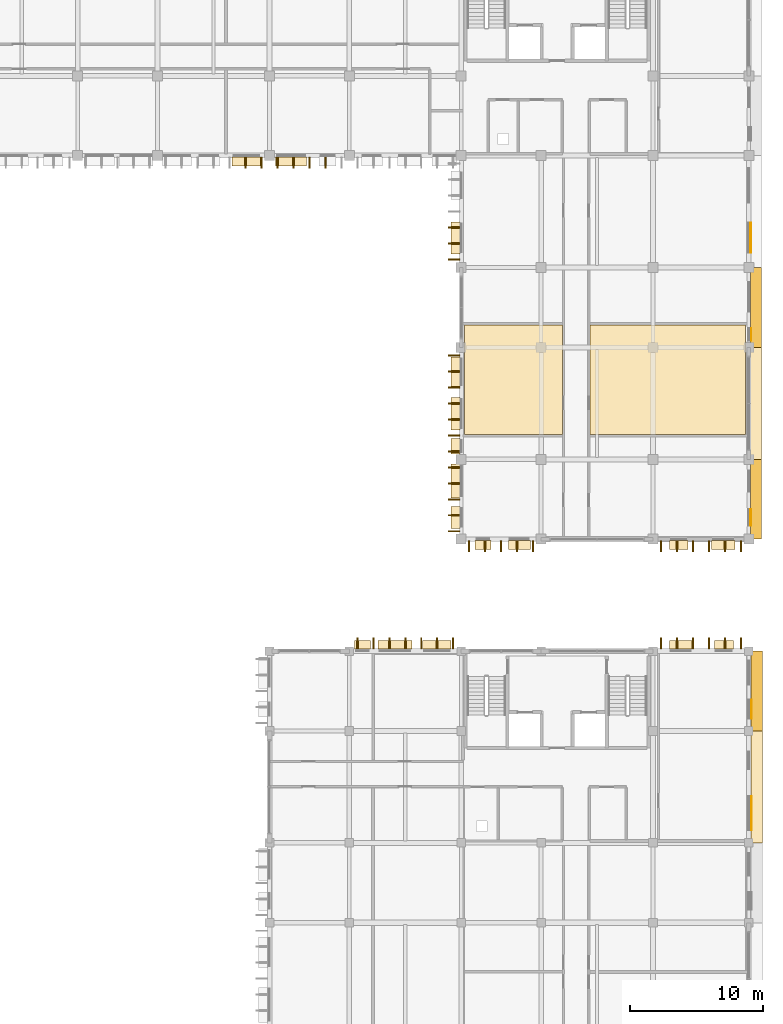
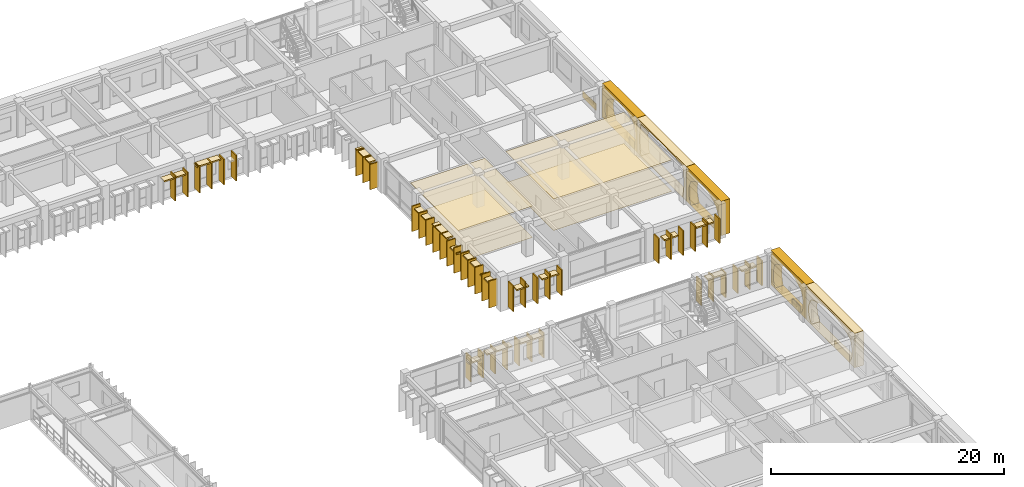
# One storey, part 86 of 88: 76 coverings.
"""IFC4 building model written with IfcOpenShell, lengths in metres."""

from ifc_helpers import new_model, si_unit, direction, frame, origin, origin_2d, place, context, subcontext, project, spatial, polyline, rectangle, outline, extrude, material, layer, layer_set, type_object, element, save


model = new_model("IFC4")

# Units and contexts
model_context = context("Model", 3, precision=1e-05, world=origin(), true_north=direction((0.0, 1.0)))
body_context = subcontext(model_context, "Body", "Model", "MODEL_VIEW")
ifc_project = project(units=[si_unit("LENGTHUNIT", "METRE"), si_unit("AREAUNIT", "SQUARE_METRE"), si_unit("VOLUMEUNIT", "CUBIC_METRE"), si_unit("PLANEANGLEUNIT", "RADIAN"), si_unit("MASSUNIT", "GRAM", prefix="KILO"), si_unit("THERMODYNAMICTEMPERATUREUNIT", "KELVIN")], contexts=[model_context])

# Site, building, storey
site_placement = place(None, origin())
site = spatial("IfcSite", under=ifc_project, at=site_placement, CompositionType="ELEMENT")
building_placement = place(site_placement, origin())
building = spatial("IfcBuilding", under=site, at=building_placement, Name="Thalorik Housing Commons", CompositionType="ELEMENT")
storey_placement = place(building_placement, frame((0.0, 0.0, 4.5)))
storey = spatial("IfcBuildingStorey", under=building, at=storey_placement, Name="L01", CompositionType="ELEMENT", Elevation=4.5)

# Coverings
ifc_material_1 = material(Name="Cobalt blue glazed ceramic facade tile panel", Category="masonry")
ifc_layer_1 = layer(ifc_material_1, 0.06005859375, Name="Cobalt blue glazed ceramic facade tile panel", Category="masonry")
ifc_layer_set_1 = layer_set([ifc_layer_1], Name="Cobalt blue glazed ceramic facade tile panel")
covering_type_1 = type_object("IfcCoveringType", Name="ARC-CLD-BLU-60", PredefinedType="CLADDING", material=ifc_layer_set_1)
covering_1_placement = place(storey_placement, frame((174.195068359375, 67.6298828125, 0.0498046875), z_axis=(0.0, 0.0, 1.0), x_axis=(0.0, 1.0, 0.0)))
element("IfcCovering", 1, at=covering_1_placement, inside=storey, type_object=covering_type_1, Name="L01 De Stijl Recessed Window Spandrel 4596", PredefinedType="CLADDING", context=body_context, shape_type="SweptSolid", body=[
    extrude(rectangle(XDim=1.419921875, YDim=0.06005859375, at=origin_2d()), origin(), (0.0, 0.0, 1.0), 0.699951171875),
])
ifc_material_2 = material(Name="Precast concrete C40/50", Category="concrete")
ifc_layer_2 = layer(ifc_material_2, 0.85009765625, Name="Precast concrete C40/50", Category="concrete")
ifc_layer_set_2 = layer_set([ifc_layer_2], Name="Precast concrete C40/50")
covering_type_2 = type_object("IfcCoveringType", Name="ARC-CLD-CUSH-850", PredefinedType="CLADDING", material=ifc_layer_set_2)
covering_2_placement = place(storey_placement, frame((174.532470703125, 83.39990234375, 0.0), z_axis=(0.0, 0.0, 1.0), x_axis=(0.0, 1.0, 0.0)))
element("IfcCovering", 2, at=covering_2_placement, inside=storey, type_object=covering_type_2, Name="L01 White Precast Curved Cushion Bay Frame 1647", PredefinedType="CLADDING", context=body_context, shape_type="SweptSolid", body=[
    extrude(outline(polyline([(-3.0, 0.0), (3.0, 0.0), (3.0, 3.60009765625), (-3.0, 3.60009765625), (-3.0, 0.0)]), holes=[polyline([(2.2099609375, 0.02490234375), (2.39892578125, 0.4375), (2.51220703125, 0.85009765625), (2.550048828125, 1.262451171875), (2.51220703125, 1.675048828125), (2.39892578125, 2.08740234375), (2.2099609375, 2.5), (1.85546875, 2.755615234375), (1.500732421875, 2.956298828125), (1.146240234375, 3.119140625), (0.791748046875, 3.239990234375), (0.43701171875, 3.314697265625), (0.08251953125, 3.340087890625), (-0.272216796875, 3.314697265625), (-0.626708984375, 3.239990234375), (-0.981201171875, 3.119140625), (-1.335693359375, 2.956298828125), (-1.6904296875, 2.755615234375), (-2.044921875, 2.5), (-2.32568359375, 2.08740234375), (-2.493896484375, 1.675048828125), (-2.550048828125, 1.262451171875), (-2.493896484375, 0.85009765625), (-2.32568359375, 0.4375), (-2.044921875, 0.02490234375), (2.2099609375, 0.02490234375)])]), frame((0.0, 0.425048828125, 0.0), z_axis=(0.0, -1.0, 0.0), x_axis=(1.0, 0.0, 0.0)), (0.0, 0.0, 1.0), 0.85009765625),
])
covering_3_placement = place(storey_placement, frame((174.532470703125, 90.60009765625, 0.0), z_axis=(0.0, 0.0, 1.0), x_axis=(0.0, 1.0, 0.0)))
element("IfcCovering", 3, at=covering_3_placement, inside=storey, type_object=covering_type_2, Name="L01 White Precast Curved Cushion Bay Frame 1649", PredefinedType="CLADDING", context=body_context, shape_type="SweptSolid", body=[
    extrude(outline(polyline([(-4.199951171875, 0.0), (4.199951171875, 0.0), (4.199951171875, 3.60009765625), (-4.199951171875, 3.60009765625), (-4.199951171875, 0.0)]), holes=[polyline([(3.550048828125, 0.02490234375), (3.687255859375, 0.57421875), (3.76953125, 1.123291015625), (3.797119140625, 1.672607421875), (3.76953125, 2.2216796875), (3.687255859375, 2.770751953125), (3.550048828125, 3.320068359375), (2.958251953125, 3.362548828125), (2.36669921875, 3.39599609375), (1.77490234375, 3.423095703125), (1.183349609375, 3.443359375), (0.591796875, 3.455810546875), (0.0, 3.4599609375), (-0.591796875, 3.455810546875), (-1.183349609375, 3.443359375), (-1.77490234375, 3.423095703125), (-2.36669921875, 3.39599609375), (-2.958251953125, 3.362548828125), (-3.550048828125, 3.320068359375), (-3.687255859375, 2.770751953125), (-3.76953125, 2.2216796875), (-3.797119140625, 1.672607421875), (-3.76953125, 1.123291015625), (-3.687255859375, 0.57421875), (-3.550048828125, 0.02490234375), (3.550048828125, 0.02490234375)])]), frame((0.0, 0.425048828125, 0.0), z_axis=(0.0, -1.0, 0.0), x_axis=(1.0, 0.0, 0.0)), (0.0, 0.0, 1.0), 0.85009765625),
])
covering_4_placement = place(storey_placement, frame((174.532470703125, 97.800048828125, 0.0), z_axis=(0.0, 0.0, 1.0), x_axis=(0.0, 1.0, 0.0)))
element("IfcCovering", 4, at=covering_4_placement, inside=storey, type_object=covering_type_2, Name="L01 White Precast Curved Cushion Bay Frame 1650", PredefinedType="CLADDING", context=body_context, shape_type="SweptSolid", body=[
    extrude(outline(polyline([(-3.0, 0.0), (3.0, 0.0), (3.0, 3.60009765625), (-3.0, 3.60009765625), (-3.0, 0.0)]), holes=[polyline([(2.0400390625, 0.02490234375), (2.3232421875, 0.4375), (2.493408203125, 0.85009765625), (2.550048828125, 1.262451171875), (2.493408203125, 1.675048828125), (2.3232421875, 2.08740234375), (2.0400390625, 2.5), (1.658203125, 2.755615234375), (1.276611328125, 2.956298828125), (0.89501953125, 3.119140625), (0.51318359375, 3.239990234375), (0.131591796875, 3.314697265625), (-0.25, 3.340087890625), (-0.631591796875, 3.314697265625), (-1.01318359375, 3.239990234375), (-1.39501953125, 3.119140625), (-1.776611328125, 2.956298828125), (-2.158203125, 2.755615234375), (-2.5400390625, 2.5), (-2.63720703125, 2.08740234375), (-2.6953125, 1.675048828125), (-2.71484375, 1.262451171875), (-2.6953125, 0.85009765625), (-2.63720703125, 0.4375), (-2.5400390625, 0.02490234375), (2.0400390625, 0.02490234375)])]), frame((0.0, 0.425048828125, 0.0), z_axis=(0.0, -1.0, 0.0), x_axis=(1.0, 0.0, 0.0)), (0.0, 0.0, 1.0), 0.85009765625),
])
covering_5_placement = place(storey_placement, frame((174.5849609375, 61.800048828125, 0.0), z_axis=(0.0, 0.0, 1.0), x_axis=(0.0, 1.0, 0.0)))
element("IfcCovering", 5, at=covering_5_placement, inside=storey, type_object=covering_type_2, Name="L01 White Precast Curved Cushion Bay Frame 4593", PredefinedType="CLADDING", context=body_context, shape_type="SweptSolid", body=[
    extrude(outline(polyline([(-4.199951171875, 0.0), (4.199951171875, 0.0), (4.199951171875, 3.60009765625), (-4.199951171875, 3.60009765625), (-4.199951171875, 0.0)]), holes=[polyline([(3.239990234375, 0.02490234375), (3.523193359375, 0.45751953125), (3.693359375, 0.889892578125), (3.75, 1.322509765625), (3.693359375, 1.7548828125), (3.523193359375, 2.1875), (3.239990234375, 2.6201171875), (2.6953125, 2.839111328125), (2.15087890625, 3.01123046875), (1.606201171875, 3.150634765625), (1.061767578125, 3.25439453125), (0.51708984375, 3.318359375), (-0.027587890625, 3.340087890625), (-0.572021484375, 3.318359375), (-1.11669921875, 3.25439453125), (-1.6611328125, 3.150634765625), (-2.205810546875, 3.01123046875), (-2.75048828125, 2.839111328125), (-3.294921875, 2.6201171875), (-3.5478515625, 2.1875), (-3.699462890625, 1.7548828125), (-3.75, 1.322509765625), (-3.699462890625, 0.889892578125), (-3.5478515625, 0.45751953125), (-3.294921875, 0.02490234375), (3.239990234375, 0.02490234375)])]), frame((0.0, 0.425048828125, 0.0), z_axis=(0.0, -1.0, 0.0), x_axis=(1.0, 0.0, 0.0)), (0.0, 0.0, 1.0), 0.85009765625),
])
covering_6_placement = place(storey_placement, frame((174.5849609375, 69.0, 0.0), z_axis=(0.0, 0.0, 1.0), x_axis=(0.0, 1.0, 0.0)))
element("IfcCovering", 6, at=covering_6_placement, inside=storey, type_object=covering_type_2, Name="L01 White Precast Curved Cushion Bay Frame 4595", PredefinedType="CLADDING", context=body_context, shape_type="SweptSolid", body=[
    extrude(outline(polyline([(-3.0, 0.0), (3.0, 0.0), (3.0, 3.60009765625), (-3.0, 3.60009765625), (-3.0, 0.0)]), holes=[polyline([(2.31005859375, 0.02490234375), (2.455810546875, 0.4375), (2.543212890625, 0.85009765625), (2.572265625, 1.262451171875), (2.543212890625, 1.675048828125), (2.455810546875, 2.08740234375), (2.31005859375, 2.5), (1.93994140625, 2.755615234375), (1.570068359375, 2.956298828125), (1.199951171875, 3.119140625), (0.830078125, 3.239990234375), (0.4599609375, 3.314697265625), (0.090087890625, 3.340087890625), (-0.280029296875, 3.314697265625), (-0.64990234375, 3.239990234375), (-1.02001953125, 3.119140625), (-1.389892578125, 2.956298828125), (-1.760009765625, 2.755615234375), (-2.1298828125, 2.5), (-2.36328125, 2.08740234375), (-2.50341796875, 1.675048828125), (-2.550048828125, 1.262451171875), (-2.50341796875, 0.85009765625), (-2.36328125, 0.4375), (-2.1298828125, 0.02490234375), (2.31005859375, 0.02490234375)])]), frame((0.0, 0.425048828125, 0.0), z_axis=(0.0, -1.0, 0.0), x_axis=(1.0, 0.0, 0.0)), (0.0, 0.0, 1.0), 0.85009765625),
])
ifc_layer_3 = layer(ifc_material_2, 0.85009765625, Name="Precast concrete C40/50", Category="concrete")
ifc_layer_set_3 = layer_set([ifc_layer_3], Name="Precast concrete C40/50")
covering_type_3 = type_object("IfcCoveringType", Name="ARC-CLD-FIN-850", PredefinedType="CLADDING", material=ifc_layer_set_3)
for number, where, z_axis, x_axis, name in (
    (7, (136.199951171875, 108.66748046875, 0.0400390625), (0.0, 0.0, 1.0), (1.0, 0.0, 0.0), "L01 Courtyard Precast Vertical Brise-Soleil Fin 1584"),
    (8, (137.39990234375, 108.66748046875, 0.0400390625), (0.0, 0.0, 1.0), (1.0, 0.0, 0.0), "L01 Courtyard Precast Vertical Brise-Soleil Fin 1585"),
):
    element("IfcCovering", number, at=place(storey_placement, frame(where, z_axis=z_axis, x_axis=x_axis)), inside=storey, type_object=covering_type_3, Name=name, PredefinedType="CLADDING", context=body_context, shape_type="SweptSolid", body=[
        extrude(rectangle(XDim=0.110107421875, YDim=0.85009765625, at=origin_2d()), origin(), (0.0, 0.0, 1.0), 2.594970703125),
    ])
for number, where, z_axis, x_axis, name in (
    (9, (138.60009765625, 108.66748046875, 0.0400390625), (0.0, 0.0, 1.0), (1.0, 0.0, 0.0), "L01 Courtyard Precast Vertical Brise-Soleil Fin 1589"),
    (10, (139.800048828125, 108.66748046875, 0.0400390625), (0.0, 0.0, 1.0), (1.0, 0.0, 0.0), "L01 Courtyard Precast Vertical Brise-Soleil Fin 1590"),
    (11, (141.0, 108.66748046875, 0.0400390625), (0.0, 0.0, 1.0), (1.0, 0.0, 0.0), "L01 Courtyard Precast Vertical Brise-Soleil Fin 1591"),
    (12, (142.199951171875, 108.66748046875, 0.0400390625), (0.0, 0.0, 1.0), (1.0, 0.0, 0.0), "L01 Courtyard Precast Vertical Brise-Soleil Fin 1592"),
):
    element("IfcCovering", number, at=place(storey_placement, frame(where, z_axis=z_axis, x_axis=x_axis)), inside=storey, type_object=covering_type_3, Name=name, PredefinedType="CLADDING", context=body_context, shape_type="SweptSolid", body=[
        extrude(rectangle(XDim=0.110107421875, YDim=0.85009765625, at=origin_2d()), origin(), (0.0, 0.0, 1.0), 2.695068359375),
    ])
for number, where, z_axis, x_axis, name in (
    (13, (151.867431640625, 103.800048828125, 0.0400390625), (0.0, 0.0, 1.0), (0.0, -1.0, 0.0), "L01 Courtyard Precast Vertical Brise-Soleil Fin 1610"),
    (14, (151.867431640625, 102.60009765625, 0.0400390625), (0.0, 0.0, 1.0), (0.0, -1.0, 0.0), "L01 Courtyard Precast Vertical Brise-Soleil Fin 1611"),
    (15, (151.867431640625, 101.39990234375, 0.0400390625), (0.0, 0.0, 1.0), (0.0, -1.0, 0.0), "L01 Courtyard Precast Vertical Brise-Soleil Fin 1612"),
    (16, (151.867431640625, 94.199951171875, 0.0400390625), (0.0, 0.0, 1.0), (0.0, -1.0, 0.0), "L01 Courtyard Precast Vertical Brise-Soleil Fin 1615"),
    (17, (151.867431640625, 93.0, 0.0400390625), (0.0, 0.0, 1.0), (0.0, -1.0, 0.0), "L01 Courtyard Precast Vertical Brise-Soleil Fin 1616"),
    (18, (151.867431640625, 91.800048828125, 0.0400390625), (0.0, 0.0, 1.0), (0.0, -1.0, 0.0), "L01 Courtyard Precast Vertical Brise-Soleil Fin 1617"),
    (19, (151.867431640625, 90.60009765625, 0.0400390625), (0.0, 0.0, 1.0), (0.0, -1.0, 0.0), "L01 Courtyard Precast Vertical Brise-Soleil Fin 1618"),
    (20, (151.867431640625, 89.39990234375, 0.0400390625), (0.0, 0.0, 1.0), (0.0, -1.0, 0.0), "L01 Courtyard Precast Vertical Brise-Soleil Fin 1619"),
    (21, (151.867431640625, 88.199951171875, 0.0400390625), (0.0, 0.0, 1.0), (0.0, -1.0, 0.0), "L01 Courtyard Precast Vertical Brise-Soleil Fin 1620"),
    (22, (151.867431640625, 87.0, 0.0400390625), (0.0, 0.0, 1.0), (0.0, -1.0, 0.0), "L01 Courtyard Precast Vertical Brise-Soleil Fin 1621"),
):
    element("IfcCovering", number, at=place(storey_placement, frame(where, z_axis=z_axis, x_axis=x_axis)), inside=storey, type_object=covering_type_3, Name=name, PredefinedType="CLADDING", context=body_context, shape_type="SweptSolid", body=[
        extrude(rectangle(XDim=0.110107421875, YDim=0.85009765625, at=origin_2d()), origin(), (0.0, 0.0, 1.0), 2.64501953125),
    ])
for number, where, z_axis, x_axis, name in (
    (23, (151.867431640625, 85.800048828125, 0.0400390625), (0.0, 0.0, 1.0), (0.0, -1.0, 0.0), "L01 Courtyard Precast Vertical Brise-Soleil Fin 1625"),
    (24, (151.867431640625, 84.60009765625, 0.0400390625), (0.0, 0.0, 1.0), (0.0, -1.0, 0.0), "L01 Courtyard Precast Vertical Brise-Soleil Fin 1626"),
    (25, (151.867431640625, 83.39990234375, 0.0400390625), (0.0, 0.0, 1.0), (0.0, -1.0, 0.0), "L01 Courtyard Precast Vertical Brise-Soleil Fin 1627"),
    (26, (151.867431640625, 82.199951171875, 0.0400390625), (0.0, 0.0, 1.0), (0.0, -1.0, 0.0), "L01 Courtyard Precast Vertical Brise-Soleil Fin 1628"),
    (27, (151.867431640625, 81.0, 0.0400390625), (0.0, 0.0, 1.0), (0.0, -1.0, 0.0), "L01 Courtyard Precast Vertical Brise-Soleil Fin 1629"),
):
    element("IfcCovering", number, at=place(storey_placement, frame(where, z_axis=z_axis, x_axis=x_axis)), inside=storey, type_object=covering_type_3, Name=name, PredefinedType="CLADDING", context=body_context, shape_type="SweptSolid", body=[
        extrude(rectangle(XDim=0.110107421875, YDim=0.85009765625, at=origin_2d()), origin(), (0.0, 0.0, 1.0), 2.794921875),
    ])
for number, where, z_axis, x_axis, name in (
    (28, (153.0, 79.867431640625, 0.0400390625), (0.0, 0.0, 1.0), (1.0, 0.0, 0.0), "L01 Courtyard Precast Vertical Brise-Soleil Fin 1632"),
    (29, (154.199951171875, 79.867431640625, 0.0400390625), (0.0, 0.0, 1.0), (1.0, 0.0, 0.0), "L01 Courtyard Precast Vertical Brise-Soleil Fin 1633"),
    (30, (155.39990234375, 79.867431640625, 0.0400390625), (0.0, 0.0, 1.0), (1.0, 0.0, 0.0), "L01 Courtyard Precast Vertical Brise-Soleil Fin 1634"),
    (31, (156.60009765625, 79.867431640625, 0.0400390625), (0.0, 0.0, 1.0), (1.0, 0.0, 0.0), "L01 Courtyard Precast Vertical Brise-Soleil Fin 1635"),
    (32, (157.800048828125, 79.867431640625, 0.0400390625), (0.0, 0.0, 1.0), (1.0, 0.0, 0.0), "L01 Courtyard Precast Vertical Brise-Soleil Fin 1636"),
):
    element("IfcCovering", number, at=place(storey_placement, frame(where, z_axis=z_axis, x_axis=x_axis)), inside=storey, type_object=covering_type_3, Name=name, PredefinedType="CLADDING", context=body_context, shape_type="SweptSolid", body=[
        extrude(rectangle(XDim=0.110107421875, YDim=0.85009765625, at=origin_2d()), origin(), (0.0, 0.0, 1.0), 2.695068359375),
    ])
for number, where, z_axis, x_axis, name in (
    (33, (167.39990234375, 79.867431640625, 0.0400390625), (0.0, 0.0, 1.0), (1.0, 0.0, 0.0), "L01 Courtyard Precast Vertical Brise-Soleil Fin 1639"),
    (34, (168.60009765625, 79.867431640625, 0.0400390625), (0.0, 0.0, 1.0), (1.0, 0.0, 0.0), "L01 Courtyard Precast Vertical Brise-Soleil Fin 1640"),
    (35, (169.800048828125, 79.867431640625, 0.0400390625), (0.0, 0.0, 1.0), (1.0, 0.0, 0.0), "L01 Courtyard Precast Vertical Brise-Soleil Fin 1641"),
    (36, (171.0, 79.867431640625, 0.0400390625), (0.0, 0.0, 1.0), (1.0, 0.0, 0.0), "L01 Courtyard Precast Vertical Brise-Soleil Fin 1642"),
    (37, (172.199951171875, 79.867431640625, 0.0400390625), (0.0, 0.0, 1.0), (1.0, 0.0, 0.0), "L01 Courtyard Precast Vertical Brise-Soleil Fin 1643"),
    (38, (173.39990234375, 79.867431640625, 0.0400390625), (0.0, 0.0, 1.0), (1.0, 0.0, 0.0), "L01 Courtyard Precast Vertical Brise-Soleil Fin 1644"),
    (39, (151.800048828125, 72.5849609375, 0.0400390625), (0.0, 0.0, 1.0), (-1.0, 0.0, 0.0), "L01 Courtyard Precast Vertical Brise-Soleil Fin 4540"),
    (40, (150.60009765625, 72.5849609375, 0.0400390625), (0.0, 0.0, 1.0), (-1.0, 0.0, 0.0), "L01 Courtyard Precast Vertical Brise-Soleil Fin 4541"),
    (41, (149.39990234375, 72.5849609375, 0.0400390625), (0.0, 0.0, 1.0), (-1.0, 0.0, 0.0), "L01 Courtyard Precast Vertical Brise-Soleil Fin 4542"),
    (42, (148.199951171875, 72.5849609375, 0.0400390625), (0.0, 0.0, 1.0), (-1.0, 0.0, 0.0), "L01 Courtyard Precast Vertical Brise-Soleil Fin 4543"),
    (43, (147.0, 72.5849609375, 0.0400390625), (0.0, 0.0, 1.0), (-1.0, 0.0, 0.0), "L01 Courtyard Precast Vertical Brise-Soleil Fin 4544"),
    (44, (145.800048828125, 72.5849609375, 0.0400390625), (0.0, 0.0, 1.0), (-1.0, 0.0, 0.0), "L01 Courtyard Precast Vertical Brise-Soleil Fin 4545"),
    (45, (144.60009765625, 72.5849609375, 0.0400390625), (0.0, 0.0, 1.0), (-1.0, 0.0, 0.0), "L01 Courtyard Precast Vertical Brise-Soleil Fin 4546"),
    (46, (173.39990234375, 72.5849609375, 0.0400390625), (0.0, 0.0, 1.0), (-1.0, 0.0, 0.0), "L01 Courtyard Precast Vertical Brise-Soleil Fin 4597"),
    (47, (172.199951171875, 72.5849609375, 0.0400390625), (0.0, 0.0, 1.0), (-1.0, 0.0, 0.0), "L01 Courtyard Precast Vertical Brise-Soleil Fin 4598"),
    (48, (171.0, 72.5849609375, 0.0400390625), (0.0, 0.0, 1.0), (-1.0, 0.0, 0.0), "L01 Courtyard Precast Vertical Brise-Soleil Fin 4599"),
    (49, (169.800048828125, 72.5849609375, 0.0400390625), (0.0, 0.0, 1.0), (-1.0, 0.0, 0.0), "L01 Courtyard Precast Vertical Brise-Soleil Fin 4600"),
    (50, (168.60009765625, 72.5849609375, 0.0400390625), (0.0, 0.0, 1.0), (-1.0, 0.0, 0.0), "L01 Courtyard Precast Vertical Brise-Soleil Fin 4601"),
    (51, (167.39990234375, 72.5849609375, 0.0400390625), (0.0, 0.0, 1.0), (-1.0, 0.0, 0.0), "L01 Courtyard Precast Vertical Brise-Soleil Fin 4602"),
):
    element("IfcCovering", number, at=place(storey_placement, frame(where, z_axis=z_axis, x_axis=x_axis)), inside=storey, type_object=covering_type_3, Name=name, PredefinedType="CLADDING", context=body_context, shape_type="SweptSolid", body=[
        extrude(rectangle(XDim=0.110107421875, YDim=0.85009765625, at=origin_2d()), origin(), (0.0, 0.0, 1.0), 2.594970703125),
    ])
ifc_layer_4 = layer(ifc_material_2, 0.64990234375, Name="Precast concrete C40/50", Category="concrete")
ifc_layer_set_4 = layer_set([ifc_layer_4], Name="Precast concrete C40/50")
covering_type_4 = type_object("IfcCoveringType", Name="ARC-CLD-HOOD-650", PredefinedType="CLADDING", material=ifc_layer_set_4)
covering_7_placement = place(storey_placement, frame((136.27490234375, 108.767578125, 2.22998046875), z_axis=(0.0, 0.0, 1.0), x_axis=(1.0, 0.0, 0.0)))
element("IfcCovering", 52, at=covering_7_placement, inside=storey, type_object=covering_type_4, Name="L01 Courtyard Precast Window Sun-Hood 1588", PredefinedType="CLADDING", context=body_context, shape_type="SweptSolid", body=[
    extrude(rectangle(XDim=2.159912109375, YDim=0.64990234375, at=origin_2d()), origin(), (0.0, 0.0, 1.0), 0.139892578125),
])
covering_8_placement = place(storey_placement, frame((139.6298828125, 108.767578125, 2.58984375), z_axis=(0.0, 0.0, 1.0), x_axis=(1.0, 0.0, 0.0)))
element("IfcCovering", 53, at=covering_8_placement, inside=storey, type_object=covering_type_4, Name="L01 Courtyard Precast Window Sun-Hood 1594", PredefinedType="CLADDING", context=body_context, shape_type="SweptSolid", body=[
    extrude(rectangle(XDim=2.340087890625, YDim=0.64990234375, at=origin_2d()), origin(), (0.0, 0.0, 1.0), 0.139892578125),
])
covering_9_placement = place(storey_placement, frame((151.967529296875, 103.030029296875, 2.43994140625), z_axis=(0.0, 0.0, 1.0), x_axis=(0.0, -1.0, 0.0)))
element("IfcCovering", 54, at=covering_9_placement, inside=storey, type_object=covering_type_4, Name="L01 Courtyard Precast Window Sun-Hood 1614", PredefinedType="CLADDING", context=body_context, shape_type="SweptSolid", body=[
    extrude(rectangle(XDim=2.389892578125, YDim=0.64990234375, at=origin_2d()), origin(), (0.0, 0.0, 1.0), 0.139892578125),
])
covering_10_placement = place(storey_placement, frame((151.967529296875, 92.967529296875, 2.2900390625), z_axis=(0.0, 0.0, 1.0), x_axis=(0.0, -1.0, 0.0)))
element("IfcCovering", 55, at=covering_10_placement, inside=storey, type_object=covering_type_4, Name="L01 Courtyard Precast Window Sun-Hood 1622", PredefinedType="CLADDING", context=body_context, shape_type="SweptSolid", body=[
    extrude(rectangle(XDim=2.239990234375, YDim=0.64990234375, at=origin_2d()), origin(), (0.0, 0.0, 1.0), 0.139892578125),
])
covering_11_placement = place(storey_placement, frame((151.967529296875, 89.822509765625, 2.5400390625), z_axis=(0.0, 0.0, 1.0), x_axis=(0.0, -1.0, 0.0)))
element("IfcCovering", 56, at=covering_11_placement, inside=storey, type_object=covering_type_4, Name="L01 Courtyard Precast Window Sun-Hood 1623", PredefinedType="CLADDING", context=body_context, shape_type="SweptSolid", body=[
    extrude(rectangle(XDim=2.43994140625, YDim=0.64990234375, at=origin_2d()), origin(), (0.0, 0.0, 1.0), 0.139892578125),
])
covering_12_placement = place(storey_placement, frame((151.967529296875, 87.385009765625, 1.990234375), z_axis=(0.0, 0.0, 1.0), x_axis=(0.0, -1.0, 0.0)))
element("IfcCovering", 57, at=covering_12_placement, inside=storey, type_object=covering_type_4, Name="L01 Courtyard Precast Window Sun-Hood 1624", PredefinedType="CLADDING", context=body_context, shape_type="SweptSolid", body=[
    extrude(rectangle(XDim=1.139892578125, YDim=0.64990234375, at=origin_2d()), origin(), (0.0, 0.0, 1.0), 0.139892578125),
])
covering_13_placement = place(storey_placement, frame((151.967529296875, 84.77001953125, 2.490234375), z_axis=(0.0, 0.0, 1.0), x_axis=(0.0, -1.0, 0.0)))
element("IfcCovering", 58, at=covering_13_placement, inside=storey, type_object=covering_type_4, Name="L01 Courtyard Precast Window Sun-Hood 1630", PredefinedType="CLADDING", context=body_context, shape_type="SweptSolid", body=[
    extrude(rectangle(XDim=2.5400390625, YDim=0.64990234375, at=origin_2d()), origin(), (0.0, 0.0, 1.0), 0.139892578125),
])
covering_14_placement = place(storey_placement, frame((151.967529296875, 82.030029296875, 2.27001953125), z_axis=(0.0, 0.0, 1.0), x_axis=(0.0, -1.0, 0.0)))
element("IfcCovering", 59, at=covering_14_placement, inside=storey, type_object=covering_type_4, Name="L01 Courtyard Precast Window Sun-Hood 1631", PredefinedType="CLADDING", context=body_context, shape_type="SweptSolid", body=[
    extrude(rectangle(XDim=1.6201171875, YDim=0.64990234375, at=origin_2d()), origin(), (0.0, 0.0, 1.0), 0.139892578125),
])
covering_15_placement = place(storey_placement, frame((154.030029296875, 79.967529296875, 1.93994140625), z_axis=(0.0, 0.0, 1.0), x_axis=(1.0, 0.0, 0.0)))
element("IfcCovering", 60, at=covering_15_placement, inside=storey, type_object=covering_type_4, Name="L01 Courtyard Precast Window Sun-Hood 1637", PredefinedType="CLADDING", context=body_context, shape_type="SweptSolid", body=[
    extrude(rectangle(XDim=1.18994140625, YDim=0.64990234375, at=origin_2d()), origin(), (0.0, 0.0, 1.0), 0.139892578125),
])
covering_16_placement = place(storey_placement, frame((156.77001953125, 79.967529296875, 2.169921875), z_axis=(0.0, 0.0, 1.0), x_axis=(1.0, 0.0, 0.0)))
element("IfcCovering", 61, at=covering_16_placement, inside=storey, type_object=covering_type_4, Name="L01 Courtyard Precast Window Sun-Hood 1638", PredefinedType="CLADDING", context=body_context, shape_type="SweptSolid", body=[
    extrude(rectangle(XDim=1.659912109375, YDim=0.64990234375, at=origin_2d()), origin(), (0.0, 0.0, 1.0), 0.139892578125),
])
covering_17_placement = place(storey_placement, frame((168.72998046875, 79.967529296875, 2.0400390625), z_axis=(0.0, 0.0, 1.0), x_axis=(1.0, 0.0, 0.0)))
element("IfcCovering", 62, at=covering_17_placement, inside=storey, type_object=covering_type_4, Name="L01 Courtyard Precast Window Sun-Hood 1645", PredefinedType="CLADDING", context=body_context, shape_type="SweptSolid", body=[
    extrude(rectangle(XDim=1.389892578125, YDim=0.64990234375, at=origin_2d()), origin(), (0.0, 0.0, 1.0), 0.139892578125),
])
covering_18_placement = place(storey_placement, frame((172.070068359375, 79.967529296875, 2.2099609375), z_axis=(0.0, 0.0, 1.0), x_axis=(1.0, 0.0, 0.0)))
element("IfcCovering", 63, at=covering_18_placement, inside=storey, type_object=covering_type_4, Name="L01 Courtyard Precast Window Sun-Hood 1646", PredefinedType="CLADDING", context=body_context, shape_type="SweptSolid", body=[
    extrude(rectangle(XDim=1.760009765625, YDim=0.64990234375, at=origin_2d()), origin(), (0.0, 0.0, 1.0), 0.139892578125),
])
covering_19_placement = place(storey_placement, frame((150.570068359375, 72.485107421875, 2.22998046875), z_axis=(0.0, 0.0, 1.0), x_axis=(-1.0, 0.0, 0.0)))
element("IfcCovering", 64, at=covering_19_placement, inside=storey, type_object=covering_type_4, Name="L01 Courtyard Precast Window Sun-Hood 4547", PredefinedType="CLADDING", context=body_context, shape_type="SweptSolid", body=[
    extrude(rectangle(XDim=2.159912109375, YDim=0.64990234375, at=origin_2d()), origin(), (0.0, 0.0, 1.0), 0.139892578125),
])
covering_20_placement = place(storey_placement, frame((147.429931640625, 72.485107421875, 2.25), z_axis=(0.0, 0.0, 1.0), x_axis=(-1.0, 0.0, 0.0)))
element("IfcCovering", 65, at=covering_20_placement, inside=storey, type_object=covering_type_4, Name="L01 Courtyard Precast Window Sun-Hood 4548", PredefinedType="CLADDING", context=body_context, shape_type="SweptSolid", body=[
    extrude(rectangle(XDim=2.52001953125, YDim=0.64990234375, at=origin_2d()), origin(), (0.0, 0.0, 1.0), 0.139892578125),
])
covering_21_placement = place(storey_placement, frame((144.989990234375, 72.485107421875, 1.93994140625), z_axis=(0.0, 0.0, 1.0), x_axis=(-1.0, 0.0, 0.0)))
element("IfcCovering", 66, at=covering_21_placement, inside=storey, type_object=covering_type_4, Name="L01 Courtyard Precast Window Sun-Hood 4549", PredefinedType="CLADDING", context=body_context, shape_type="SweptSolid", body=[
    extrude(rectangle(XDim=1.18994140625, YDim=0.64990234375, at=origin_2d()), origin(), (0.0, 0.0, 1.0), 0.139892578125),
])
covering_22_placement = place(storey_placement, frame((172.12744140625, 72.485107421875, 2.14013671875), z_axis=(0.0, 0.0, 1.0), x_axis=(-1.0, 0.0, 0.0)))
element("IfcCovering", 67, at=covering_22_placement, inside=storey, type_object=covering_type_4, Name="L01 Courtyard Precast Window Sun-Hood 4603", PredefinedType="CLADDING", context=body_context, shape_type="SweptSolid", body=[
    extrude(rectangle(XDim=1.43994140625, YDim=0.64990234375, at=origin_2d()), origin(), (0.0, 0.0, 1.0), 0.139892578125),
])
covering_23_placement = place(storey_placement, frame((168.902587890625, 72.485107421875, 2.43994140625), z_axis=(0.0, 0.0, 1.0), x_axis=(-1.0, 0.0, 0.0)))
element("IfcCovering", 68, at=covering_23_placement, inside=storey, type_object=covering_type_4, Name="L01 Courtyard Precast Window Sun-Hood 4604", PredefinedType="CLADDING", context=body_context, shape_type="SweptSolid", body=[
    extrude(rectangle(XDim=1.739990234375, YDim=0.64990234375, at=origin_2d()), origin(), (0.0, 0.0, 1.0), 0.139892578125),
])
ifc_material_3 = material(Name="Terracotta red mineral fibre-cement panel", Category="masonry")
ifc_layer_5 = layer(ifc_material_3, 0.054931640625, Name="Terracotta red mineral fibre-cement panel", Category="masonry")
ifc_layer_set_5 = layer_set([ifc_layer_5], Name="Terracotta red mineral fibre-cement panel")
covering_type_5 = type_object("IfcCoveringType", Name="ARC-CLD-RED-55", PredefinedType="CLADDING", material=ifc_layer_set_5)
covering_24_placement = place(storey_placement, frame((174.139892578125, 82.030029296875, 0.0498046875), z_axis=(0.0, 0.0, 1.0), x_axis=(0.0, 1.0, 0.0)))
element("IfcCovering", 69, at=covering_24_placement, inside=storey, type_object=covering_type_5, Name="L01 De Stijl Recessed Window Spandrel 1648", PredefinedType="CLADDING", context=body_context, shape_type="SweptSolid", body=[
    extrude(rectangle(XDim=1.25, YDim=0.054931640625, at=origin_2d()), origin(), (0.0, 0.0, 1.0), 0.699951171875),
])
covering_25_placement = place(storey_placement, frame((174.139892578125, 103.030029296875, 0.0498046875), z_axis=(0.0, 0.0, 1.0), x_axis=(0.0, 1.0, 0.0)))
element("IfcCovering", 70, at=covering_25_placement, inside=storey, type_object=covering_type_5, Name="L01 De Stijl Recessed Window Spandrel 1653", PredefinedType="CLADDING", context=body_context, shape_type="SweptSolid", body=[
    extrude(rectangle(XDim=2.25, YDim=0.054931640625, at=origin_2d()), origin(), (0.0, 0.0, 1.0), 0.699951171875),
])
covering_26_placement = place(storey_placement, frame((174.1923828125, 59.830078125, 0.0498046875), z_axis=(0.0, 0.0, 1.0), x_axis=(0.0, 1.0, 0.0)))
element("IfcCovering", 71, at=covering_26_placement, inside=storey, type_object=covering_type_5, Name="L01 De Stijl Recessed Window Spandrel 4594", PredefinedType="CLADDING", context=body_context, shape_type="SweptSolid", body=[
    extrude(rectangle(XDim=2.550048828125, YDim=0.054931640625, at=origin_2d()), origin(), (0.0, 0.0, 1.0), 0.699951171875),
])
ifc_material_4 = material(Name="Mineral ochre architectural terracotta panel", Category="masonry")
ifc_layer_6 = layer(ifc_material_4, 0.06494140625, Name="Mineral ochre architectural terracotta panel", Category="masonry")
ifc_layer_set_6 = layer_set([ifc_layer_6], Name="Mineral ochre architectural terracotta panel")
covering_type_6 = type_object("IfcCoveringType", Name="ARC-CLD-YEL-65", PredefinedType="CLADDING", material=ifc_layer_set_6)
covering_27_placement = place(storey_placement, frame((174.14501953125, 95.784912109375, 0.0498046875), z_axis=(0.0, 0.0, 1.0), x_axis=(0.0, 1.0, 0.0)))
element("IfcCovering", 72, at=covering_27_placement, inside=storey, type_object=covering_type_6, Name="L01 De Stijl Recessed Window Spandrel 1651", PredefinedType="CLADDING", context=body_context, shape_type="SweptSolid", body=[
    extrude(rectangle(XDim=0.949951171875, YDim=0.06494140625, at=origin_2d()), origin(), (0.0, 0.0, 1.0), 0.699951171875),
])
ifc_material_5 = material(Name="Mineral fibre acoustic ceiling tile")
ifc_layer_7 = layer(ifc_material_5, 0.01806640625, Name="Mineral fibre acoustic ceiling tile")
ifc_layer_set_7 = layer_set([ifc_layer_7], Name="Mineral fibre acoustic ceiling tile")
covering_type_7 = type_object("IfcCoveringType", Name="ARC-COV-CEIL-02", PredefinedType="CEILING", material=ifc_layer_set_7)
covering_28_placement = place(storey_placement, frame((0.0, 0.0, 3.281982421875)))
element("IfcCovering", 73, at=covering_28_placement, inside=storey, type_object=covering_type_7, Name="L01 Shared Sewing Workshop Suspended Ceiling", PredefinedType="CEILING", context=body_context, shape_type="SweptSolid", body=[
    extrude(outline(polyline([(160.0, 96.5), (152.639892578125, 96.5), (152.639892578125, 88.260009765625), (160.0, 88.260009765625), (160.0, 96.5)])), origin(), (0.0, 0.0, 1.0), 0.01806640625),
])
ifc_material_6 = material(Name="Slatted timber acoustic hall baffle ceiling", Category="wood")
ifc_layer_8 = layer(ifc_material_6, 0.02197265625, Name="Slatted timber acoustic hall baffle ceiling", Category="wood")
ifc_layer_set_8 = layer_set([ifc_layer_8], Name="Slatted timber acoustic hall baffle ceiling")
covering_type_8 = type_object("IfcCoveringType", Name="ARC-COV-CEIL-03", PredefinedType="CEILING", material=ifc_layer_set_8)
covering_29_placement = place(storey_placement, frame((0.0, 0.0, 3.278076171875)))
element("IfcCovering", 74, at=covering_29_placement, inside=storey, type_object=covering_type_8, Name="L01 Ceramics and Print Workshop Suspended Ceiling", PredefinedType="CEILING", context=body_context, shape_type="SweptSolid", body=[
    extrude(outline(polyline([(173.760009765625, 96.5), (162.06005859375, 96.5), (162.06005859375, 88.260009765625), (173.760009765625, 88.260009765625), (173.760009765625, 96.5)])), origin(), (0.0, 0.0, 1.0), 0.02197265625),
])
ifc_material_7 = material(Name="Slip-resistant quarry terracotta corridor tile", Category="masonry")
ifc_layer_9 = layer(ifc_material_7, 0.01611328125, Name="Slip-resistant quarry terracotta corridor tile", Category="masonry")
ifc_layer_set_9 = layer_set([ifc_layer_9], Name="Slip-resistant quarry terracotta corridor tile")
covering_type_9 = type_object("IfcCoveringType", Name="ARC-COV-FLR-02", PredefinedType="FLOORING", material=ifc_layer_set_9)
covering_30_placement = place(storey_placement, origin())
element("IfcCovering", 75, at=covering_30_placement, inside=storey, type_object=covering_type_9, Name="L01 Shared Sewing Workshop Flooring", PredefinedType="FLOORING", context=body_context, shape_type="SweptSolid", body=[
    extrude(outline(polyline([(160.0, 96.5), (152.639892578125, 96.5), (152.639892578125, 88.260009765625), (160.0, 88.260009765625), (160.0, 96.5)])), origin(), (0.0, 0.0, 1.0), 0.01611328125),
])
ifc_material_8 = material(Name="Cushioned natural linoleum nursery playroom flooring")
ifc_layer_10 = layer(ifc_material_8, 0.02001953125, Name="Cushioned natural linoleum nursery playroom flooring")
ifc_layer_set_10 = layer_set([ifc_layer_10], Name="Cushioned natural linoleum nursery playroom flooring")
covering_type_10 = type_object("IfcCoveringType", Name="ARC-COV-FLR-03", PredefinedType="FLOORING", material=ifc_layer_set_10)
covering_31_placement = place(storey_placement, origin())
element("IfcCovering", 76, at=covering_31_placement, inside=storey, type_object=covering_type_10, Name="L01 Ceramics and Print Workshop Flooring", PredefinedType="FLOORING", context=body_context, shape_type="SweptSolid", body=[
    extrude(outline(polyline([(173.760009765625, 96.5), (162.06005859375, 96.5), (162.06005859375, 88.260009765625), (173.760009765625, 88.260009765625), (173.760009765625, 96.5)])), origin(), (0.0, 0.0, 1.0), 0.02001953125),
])

save(model, "model.ifc")
